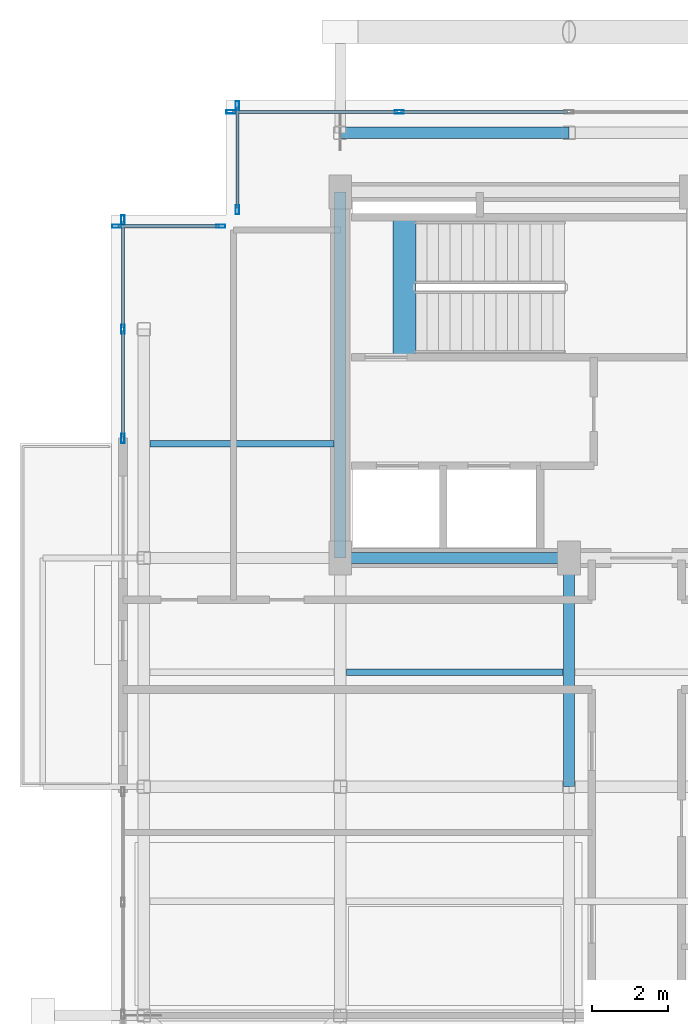
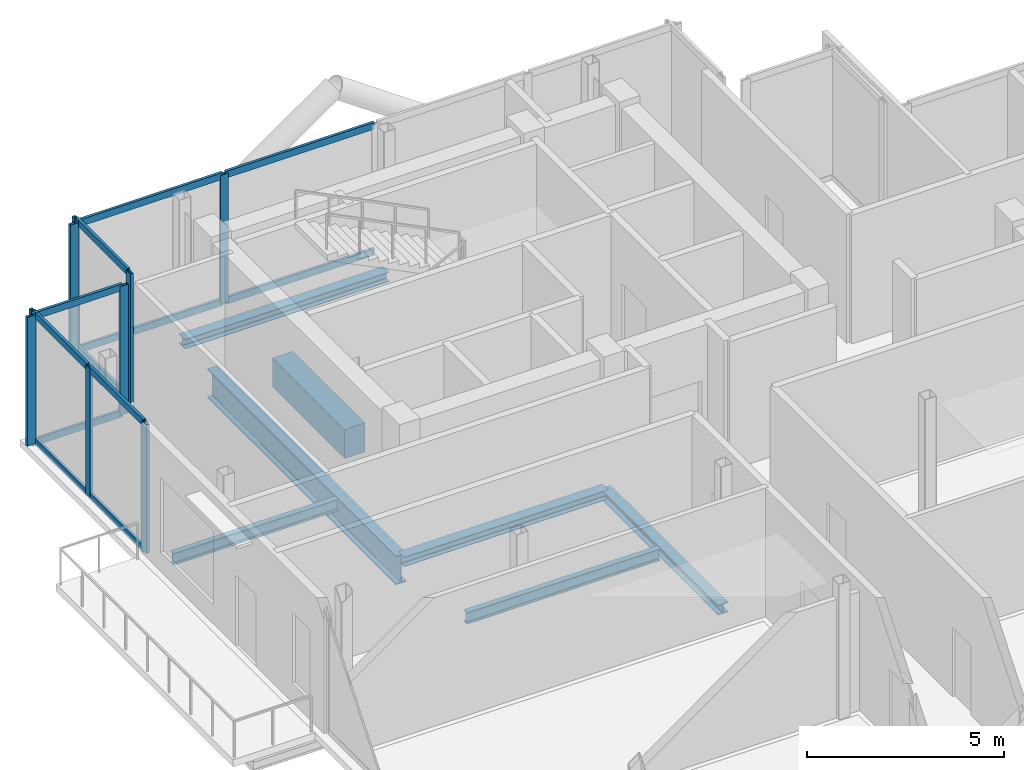
# One storey, part 5 of 16: 21 members, 7 beams, 4 elements without a shape of their own.
"""IFC4 building model written with IfcOpenShell, lengths in metres."""

from ifc_helpers import new_model, si_unit, direction, frame, origin, origin_2d, place, context, subcontext, project, spatial, rectangle, hollow_rectangle, i_section, extrude, material, layer, layer_set, material_profile, profile_set, type_object, element, aggregate, save


model = new_model("IFC4")

# Units and contexts
model_context = context("Model", 3, precision=1e-05, world=origin(), true_north=direction((0.0, 1.0)))
body_context = subcontext(model_context, "Body", "Model", "MODEL_VIEW")
ifc_project = project(units=[si_unit("LENGTHUNIT", "METRE"), si_unit("AREAUNIT", "SQUARE_METRE"), si_unit("VOLUMEUNIT", "CUBIC_METRE"), si_unit("PLANEANGLEUNIT", "RADIAN"), si_unit("MASSUNIT", "GRAM", prefix="KILO"), si_unit("THERMODYNAMICTEMPERATUREUNIT", "KELVIN"), si_unit("POWERUNIT", "WATT")], contexts=[model_context])

# Site, building, storey
site_placement = place(None, origin())
site = spatial("IfcSite", under=ifc_project, at=site_placement, CompositionType="ELEMENT")
building_placement = place(site_placement, origin())
building = spatial("IfcBuilding", under=site, at=building_placement, Name="Svarakhadi Broadcast Tower", CompositionType="ELEMENT")
storey_placement = place(building_placement, frame((0.0, 0.0, 292.199951171875)))
storey = spatial("IfcBuildingStorey", under=building, at=storey_placement, Name="L74", CompositionType="ELEMENT", Elevation=292.199951171875)

# Beams
ifc_material_1 = material(Name="Steel S355J2 (IS 2062 E350C)", Category="steel")
ifc_material_profile_1 = material_profile(ifc_material_1, i_section(OverallWidth=0.169921875, OverallDepth=0.360107421875, WebThickness=0.008056640625, FlangeThickness=0.0126953125, FilletRadius=0.01806640625, at=origin_2d()), Name="NPB 360x170x57")
ifc_profile_set_1 = profile_set([ifc_material_profile_1], Name="Steel S355J2 (IS 2062 E350C)")
beam_type_1 = type_object("IfcBeamType", Name="Beam_NPB360", PredefinedType="BEAM", material=ifc_profile_set_1)
beam_1_placement = place(storey_placement, frame((1.010009765625, 21.0, -0.3798828125), z_axis=(1.0, 0.0, 0.0), x_axis=(0.0, 1.0, 0.0)))
element("IfcBeam", 1, at=beam_1_placement, inside=storey, type_object=beam_type_1, Name="L74 Secondary Composite Beam SB003", PredefinedType="BEAM", context=body_context, shape_type="SweptSolid", body=[
    extrude(i_section(OverallWidth=0.169921875, OverallDepth=0.360107421875, WebThickness=0.008056640625, FlangeThickness=0.0126953125, FilletRadius=0.01806640625, at=origin_2d()), origin(), (0.0, 0.0, 1.0), 4.830078125),
])
beam_2_placement = place(storey_placement, frame((6.159912109375, 15.0, -0.3798828125), z_axis=(1.0, 0.0, 0.0), x_axis=(0.0, 1.0, 0.0)))
element("IfcBeam", 2, at=beam_2_placement, inside=storey, type_object=beam_type_1, Name="L74 Secondary Composite Beam SB006", PredefinedType="BEAM", context=body_context, shape_type="SweptSolid", body=[
    extrude(i_section(OverallWidth=0.169921875, OverallDepth=0.360107421875, WebThickness=0.008056640625, FlangeThickness=0.0126953125, FilletRadius=0.01806640625, at=origin_2d()), origin(), (0.0, 0.0, 1.0), 5.68017578125),
])

# Curtain wall, members
ifc_material_2 = material(Name="Anodised Bronze Aluminium AA 6063-T6", Category="aluminium")
ifc_layer = layer(ifc_material_2, 0.239990234375)
ifc_layer_set = layer_set([ifc_layer], Name="Anodised Bronze Aluminium AA 6063-T6")
curtain_wall_type = type_object("IfcCurtainWallType", Name="CW_Sys_06", PredefinedType="NOTDEFINED", material=ifc_layer_set)
curtain_wall_1_placement = place(storey_placement, origin())
curtain_wall_1 = element("IfcCurtainWall", 3, at=curtain_wall_1_placement, inside=storey, type_object=curtain_wall_type, Name="L74 West Curtain Wall 03", PredefinedType="NOTDEFINED")
ifc_material_profile_2 = material_profile(ifc_material_2, hollow_rectangle(XDim=0.090087890625, YDim=0.239990234375, WallThickness=0.006103515625, at=origin_2d()), Name="ALU MULLION 240x90x6")
ifc_profile_set_2 = profile_set([ifc_material_profile_2], Name="Anodised Bronze Aluminium AA 6063-T6")
member_type_1 = type_object("IfcMemberType", Name="CW_Sys_06_Mul", PredefinedType="MULLION", material=ifc_profile_set_2)
member_1_placement = place(storey_placement, frame((0.300048828125, 21.135009765625, 0.0), z_axis=(0.0, 0.0, 1.0), x_axis=(-1.0, 0.0, 0.0)))
member_1 = element("IfcMember", 4, at=member_1_placement, type_object=member_type_1, Name="CW-06 mullion 1", PredefinedType="MULLION", context=body_context, shape_type="SweptSolid", body=[
    extrude(hollow_rectangle(XDim=0.090087890625, YDim=0.239990234375, WallThickness=0.006103515625, at=origin_2d()), origin(), (0.0, 0.0, 1.0), 4.0),
])
member_2_placement = place(storey_placement, frame((0.300048828125, 24.0, 0.0), z_axis=(0.0, 0.0, 1.0), x_axis=(-1.0, 0.0, 0.0)))
member_2 = element("IfcMember", 5, at=member_2_placement, type_object=member_type_1, Name="CW-06 mullion 2", PredefinedType="MULLION", context=body_context, shape_type="SweptSolid", body=[
    extrude(hollow_rectangle(XDim=0.090087890625, YDim=0.239990234375, WallThickness=0.006103515625, at=origin_2d()), origin(), (0.0, 0.0, 1.0), 4.0),
])
member_3_placement = place(storey_placement, frame((0.300048828125, 26.864990234375, 0.0), z_axis=(0.0, 0.0, 1.0), x_axis=(-1.0, 0.0, 0.0)))
member_3 = element("IfcMember", 6, at=member_3_placement, type_object=member_type_1, Name="CW-06 mullion 3", PredefinedType="MULLION", context=body_context, shape_type="SweptSolid", body=[
    extrude(hollow_rectangle(XDim=0.090087890625, YDim=0.239990234375, WallThickness=0.006103515625, at=origin_2d()), origin(), (0.0, 0.0, 1.0), 4.0),
])

curtain_wall_2_placement = place(storey_placement, origin())
curtain_wall_2 = element("IfcCurtainWall", 7, at=curtain_wall_2_placement, inside=storey, type_object=curtain_wall_type, Name="L74 Unitised Facade Curtain Wall 04", PredefinedType="NOTDEFINED")
member_4_placement = place(storey_placement, frame((0.135009765625, 26.699951171875, 0.0), z_axis=(0.0, 0.0, 1.0), x_axis=(0.0, 1.0, 0.0)))
member_4 = element("IfcMember", 8, at=member_4_placement, type_object=member_type_1, Name="CW-06 mullion 1", PredefinedType="MULLION", context=body_context, shape_type="SweptSolid", body=[
    extrude(hollow_rectangle(XDim=0.090087890625, YDim=0.239990234375, WallThickness=0.006103515625, at=origin_2d()), origin(), (0.0, 0.0, 1.0), 4.0),
])
member_5_placement = place(storey_placement, frame((2.864990234375, 26.699951171875, 0.0), z_axis=(0.0, 0.0, 1.0), x_axis=(0.0, 1.0, 0.0)))
member_5 = element("IfcMember", 9, at=member_5_placement, type_object=member_type_1, Name="CW-06 mullion 2", PredefinedType="MULLION", context=body_context, shape_type="SweptSolid", body=[
    extrude(hollow_rectangle(XDim=0.090087890625, YDim=0.239990234375, WallThickness=0.006103515625, at=origin_2d()), origin(), (0.0, 0.0, 1.0), 4.0),
])

curtain_wall_3_placement = place(storey_placement, origin())
curtain_wall_3 = element("IfcCurtainWall", 10, at=curtain_wall_3_placement, inside=storey, type_object=curtain_wall_type, Name="L74 Unitised Facade Curtain Wall 05", PredefinedType="NOTDEFINED")
member_6_placement = place(storey_placement, frame((3.300048828125, 27.135009765625, 0.0), z_axis=(0.0, 0.0, 1.0), x_axis=(-1.0, 0.0, 0.0)))
member_6 = element("IfcMember", 11, at=member_6_placement, type_object=member_type_1, Name="CW-06 mullion 1", PredefinedType="MULLION", context=body_context, shape_type="SweptSolid", body=[
    extrude(hollow_rectangle(XDim=0.090087890625, YDim=0.239990234375, WallThickness=0.006103515625, at=origin_2d()), origin(), (0.0, 0.0, 1.0), 4.0),
])
member_7_placement = place(storey_placement, frame((3.300048828125, 29.864990234375, 0.0), z_axis=(0.0, 0.0, 1.0), x_axis=(-1.0, 0.0, 0.0)))
member_7 = element("IfcMember", 12, at=member_7_placement, type_object=member_type_1, Name="CW-06 mullion 2", PredefinedType="MULLION", context=body_context, shape_type="SweptSolid", body=[
    extrude(hollow_rectangle(XDim=0.090087890625, YDim=0.239990234375, WallThickness=0.006103515625, at=origin_2d()), origin(), (0.0, 0.0, 1.0), 4.0),
])

curtain_wall_4_placement = place(storey_placement, origin())
curtain_wall_4 = element("IfcCurtainWall", 13, at=curtain_wall_4_placement, inside=storey, type_object=curtain_wall_type, Name="L74 Unitised Facade Curtain Wall 06", PredefinedType="NOTDEFINED")
member_8_placement = place(storey_placement, frame((3.135009765625, 29.699951171875, 0.0), z_axis=(0.0, 0.0, 1.0), x_axis=(0.0, 1.0, 0.0)))
member_8 = element("IfcMember", 14, at=member_8_placement, type_object=member_type_1, Name="CW-06 mullion 1", PredefinedType="MULLION", context=body_context, shape_type="SweptSolid", body=[
    extrude(hollow_rectangle(XDim=0.090087890625, YDim=0.239990234375, WallThickness=0.006103515625, at=origin_2d()), origin(), (0.0, 0.0, 1.0), 4.0),
])
member_9_placement = place(storey_placement, frame((7.544921875, 29.699951171875, 0.0), z_axis=(0.0, 0.0, 1.0), x_axis=(0.0, 1.0, 0.0)))
member_9 = element("IfcMember", 15, at=member_9_placement, type_object=member_type_1, Name="CW-06 mullion 2", PredefinedType="MULLION", context=body_context, shape_type="SweptSolid", body=[
    extrude(hollow_rectangle(XDim=0.090087890625, YDim=0.239990234375, WallThickness=0.006103515625, at=origin_2d()), origin(), (0.0, 0.0, 1.0), 4.0),
])

# Member
ifc_material_profile_3 = material_profile(ifc_material_2, hollow_rectangle(XDim=0.080078125, YDim=0.2099609375, WallThickness=0.0048828125, at=origin_2d()), Name="ALU TRANSOM 210x80x5")
ifc_profile_set_3 = profile_set([ifc_material_profile_3], Name="Anodised Bronze Aluminium AA 6063-T6")
member_type_2 = type_object("IfcMemberType", Name="CW_Sys_06_Trn", PredefinedType="USERDEFINED", material=ifc_profile_set_3)
member_10_placement = place(storey_placement, frame((0.300048828125, 21.179931640625, 0.0400390625), z_axis=(0.0, 1.0, 0.0), x_axis=(-1.0, 0.0, 0.0)))
member_10 = element("IfcMember", 16, at=member_10_placement, type_object=member_type_2, Name="CW-06 transom 1.1", ObjectType="TRANSOM", PredefinedType="USERDEFINED", context=body_context, shape_type="SweptSolid", body=[
    extrude(hollow_rectangle(XDim=0.080078125, YDim=0.2099609375, WallThickness=0.0048828125, at=origin_2d()), origin(), (0.0, 0.0, 1.0), 2.775146484375),
])

member_11_placement = place(storey_placement, frame((0.300048828125, 21.179931640625, 3.9599609375), z_axis=(0.0, 1.0, 0.0), x_axis=(-1.0, 0.0, 0.0)))
member_11 = element("IfcMember", 17, at=member_11_placement, type_object=member_type_2, Name="CW-06 transom 1.2", ObjectType="TRANSOM", PredefinedType="USERDEFINED", context=body_context, shape_type="SweptSolid", body=[
    extrude(hollow_rectangle(XDim=0.080078125, YDim=0.2099609375, WallThickness=0.0048828125, at=origin_2d()), origin(), (0.0, 0.0, 1.0), 2.775146484375),
])

member_12_placement = place(storey_placement, frame((0.300048828125, 24.044921875, 0.0400390625), z_axis=(0.0, 1.0, 0.0), x_axis=(-1.0, 0.0, 0.0)))
member_12 = element("IfcMember", 18, at=member_12_placement, type_object=member_type_2, Name="CW-06 transom 2.1", ObjectType="TRANSOM", PredefinedType="USERDEFINED", context=body_context, shape_type="SweptSolid", body=[
    extrude(hollow_rectangle(XDim=0.080078125, YDim=0.2099609375, WallThickness=0.0048828125, at=origin_2d()), origin(), (0.0, 0.0, 1.0), 2.775146484375),
])

member_13_placement = place(storey_placement, frame((0.300048828125, 24.044921875, 3.9599609375), z_axis=(0.0, 1.0, 0.0), x_axis=(-1.0, 0.0, 0.0)))
member_13 = element("IfcMember", 19, at=member_13_placement, type_object=member_type_2, Name="CW-06 transom 2.2", ObjectType="TRANSOM", PredefinedType="USERDEFINED", context=body_context, shape_type="SweptSolid", body=[
    extrude(hollow_rectangle(XDim=0.080078125, YDim=0.2099609375, WallThickness=0.0048828125, at=origin_2d()), origin(), (0.0, 0.0, 1.0), 2.775146484375),
])

aggregate(curtain_wall_1, [member_1, member_2, member_3, member_10, member_11, member_12, member_13])

member_14_placement = place(storey_placement, frame((0.179931640625, 26.699951171875, 0.0400390625), z_axis=(1.0, 0.0, 0.0), x_axis=(0.0, 1.0, 0.0)))
member_14 = element("IfcMember", 20, at=member_14_placement, type_object=member_type_2, Name="CW-06 transom 1.1", ObjectType="TRANSOM", PredefinedType="USERDEFINED", context=body_context, shape_type="SweptSolid", body=[
    extrude(hollow_rectangle(XDim=0.080078125, YDim=0.2099609375, WallThickness=0.0048828125, at=origin_2d()), origin(), (0.0, 0.0, 1.0), 2.64013671875),
])

member_15_placement = place(storey_placement, frame((0.179931640625, 26.699951171875, 3.9599609375), z_axis=(1.0, 0.0, 0.0), x_axis=(0.0, 1.0, 0.0)))
member_15 = element("IfcMember", 21, at=member_15_placement, type_object=member_type_2, Name="CW-06 transom 1.2", ObjectType="TRANSOM", PredefinedType="USERDEFINED", context=body_context, shape_type="SweptSolid", body=[
    extrude(hollow_rectangle(XDim=0.080078125, YDim=0.2099609375, WallThickness=0.0048828125, at=origin_2d()), origin(), (0.0, 0.0, 1.0), 2.64013671875),
])

aggregate(curtain_wall_2, [member_4, member_5, member_14, member_15])

member_16_placement = place(storey_placement, frame((3.300048828125, 27.179931640625, 0.0400390625), z_axis=(0.0, 1.0, 0.0), x_axis=(-1.0, 0.0, 0.0)))
member_16 = element("IfcMember", 22, at=member_16_placement, type_object=member_type_2, Name="CW-06 transom 1.1", ObjectType="TRANSOM", PredefinedType="USERDEFINED", context=body_context, shape_type="SweptSolid", body=[
    extrude(hollow_rectangle(XDim=0.080078125, YDim=0.2099609375, WallThickness=0.0048828125, at=origin_2d()), origin(), (0.0, 0.0, 1.0), 2.64013671875),
])

member_17_placement = place(storey_placement, frame((3.300048828125, 27.179931640625, 3.9599609375), z_axis=(0.0, 1.0, 0.0), x_axis=(-1.0, 0.0, 0.0)))
member_17 = element("IfcMember", 23, at=member_17_placement, type_object=member_type_2, Name="CW-06 transom 1.2", ObjectType="TRANSOM", PredefinedType="USERDEFINED", context=body_context, shape_type="SweptSolid", body=[
    extrude(hollow_rectangle(XDim=0.080078125, YDim=0.2099609375, WallThickness=0.0048828125, at=origin_2d()), origin(), (0.0, 0.0, 1.0), 2.64013671875),
])

aggregate(curtain_wall_3, [member_6, member_7, member_16, member_17])

member_18_placement = place(storey_placement, frame((3.179931640625, 29.699951171875, 0.0400390625), z_axis=(1.0, 0.0, 0.0), x_axis=(0.0, 1.0, 0.0)))
member_18 = element("IfcMember", 24, at=member_18_placement, type_object=member_type_2, Name="CW-06 transom 1.1", ObjectType="TRANSOM", PredefinedType="USERDEFINED", context=body_context, shape_type="SweptSolid", body=[
    extrude(hollow_rectangle(XDim=0.080078125, YDim=0.2099609375, WallThickness=0.0048828125, at=origin_2d()), origin(), (0.0, 0.0, 1.0), 4.320068359375),
])

member_19_placement = place(storey_placement, frame((3.179931640625, 29.699951171875, 3.9599609375), z_axis=(1.0, 0.0, 0.0), x_axis=(0.0, 1.0, 0.0)))
member_19 = element("IfcMember", 25, at=member_19_placement, type_object=member_type_2, Name="CW-06 transom 1.2", ObjectType="TRANSOM", PredefinedType="USERDEFINED", context=body_context, shape_type="SweptSolid", body=[
    extrude(hollow_rectangle(XDim=0.080078125, YDim=0.2099609375, WallThickness=0.0048828125, at=origin_2d()), origin(), (0.0, 0.0, 1.0), 4.320068359375),
])

member_20_placement = place(storey_placement, frame((7.590087890625, 29.699951171875, 0.0400390625), z_axis=(1.0, 0.0, 0.0), x_axis=(0.0, 1.0, 0.0)))
member_20 = element("IfcMember", 26, at=member_20_placement, type_object=member_type_2, Name="CW-06 transom 2.1", ObjectType="TRANSOM", PredefinedType="USERDEFINED", context=body_context, shape_type="SweptSolid", body=[
    extrude(hollow_rectangle(XDim=0.080078125, YDim=0.2099609375, WallThickness=0.0048828125, at=origin_2d()), origin(), (0.0, 0.0, 1.0), 4.364990234375),
])

member_21_placement = place(storey_placement, frame((7.590087890625, 29.699951171875, 3.9599609375), z_axis=(1.0, 0.0, 0.0), x_axis=(0.0, 1.0, 0.0)))
member_21 = element("IfcMember", 27, at=member_21_placement, type_object=member_type_2, Name="CW-06 transom 2.2", ObjectType="TRANSOM", PredefinedType="USERDEFINED", context=body_context, shape_type="SweptSolid", body=[
    extrude(hollow_rectangle(XDim=0.080078125, YDim=0.2099609375, WallThickness=0.0048828125, at=origin_2d()), origin(), (0.0, 0.0, 1.0), 4.364990234375),
])

aggregate(curtain_wall_4, [member_8, member_9, member_18, member_19, member_20, member_21])

# Beams
ifc_material_3 = material(Name="Concrete C50/60 (IS 456 M60)", Category="concrete")
ifc_material_profile_4 = material_profile(ifc_material_3, rectangle(XDim=0.60009765625, YDim=0.89990234375, at=origin_2d()), Name="RC 600x900")
ifc_profile_set_4 = profile_set([ifc_material_profile_4], Name="Concrete C50/60 (IS 456 M60)")
beam_type_2 = type_object("IfcBeamType", Name="Coupling_RC600", PredefinedType="USERDEFINED", material=ifc_profile_set_4)
beam_3_placement = place(storey_placement, frame((7.679931640625, 23.260009765625, -0.449951171875), z_axis=(0.0, 1.0, 0.0), x_axis=(-1.0, 0.0, 0.0)))
element("IfcBeam", 28, at=beam_3_placement, inside=storey, type_object=beam_type_2, Name="L74 Stair ST-01 Landing Throat Trimmer Beam CB-01", ObjectType="GIRDER", PredefinedType="USERDEFINED", context=body_context, shape_type="SweptSolid", body=[
    extrude(rectangle(XDim=0.60009765625, YDim=0.89990234375, at=origin_2d()), origin(), (0.0, 0.0, 1.0), 3.679931640625),
])
ifc_material_profile_5 = material_profile(ifc_material_1, i_section(OverallWidth=0.300048828125, OverallDepth=0.300048828125, WebThickness=0.010986328125, FlangeThickness=0.01904296875, FilletRadius=0.027099609375, at=origin_2d()), Name="WPB 300x300x117")
ifc_profile_set_5 = profile_set([ifc_material_profile_5], Name="Steel S355J2 (IS 2062 E350C)")
beam_type_3 = type_object("IfcBeamType", Name="Girder_WPB300", PredefinedType="USERDEFINED", material=ifc_profile_set_5)
for number, where, z_axis, x_axis, name in (
    (29, (6.0, 18.0, -0.349853515625), (1.0, 0.0, 0.0), (0.0, 1.0, 0.0), "L74 Primary E-W Girder G018"),
    (30, (6.0, 29.14990234375, -0.349853515625), (1.0, 0.0, 0.0), (0.0, 1.0, 0.0), "L74 Primary E-W Girder G024"),
    (31, (12.0, 12.0, -0.349853515625), (0.0, 1.0, 0.0), (-1.0, 0.0, 0.0), "L74 Primary N-S Girder G035"),
):
    element("IfcBeam", number, at=place(storey_placement, frame(where, z_axis=z_axis, x_axis=x_axis)), inside=storey, type_object=beam_type_3, Name=name, ObjectType="GIRDER", PredefinedType="USERDEFINED", context=body_context, shape_type="SweptSolid", body=[
        extrude(i_section(OverallWidth=0.300048828125, OverallDepth=0.300048828125, WebThickness=0.010986328125, FlangeThickness=0.01904296875, FilletRadius=0.027099609375, at=origin_2d()), origin(), (0.0, 0.0, 1.0), 6.0),
    ])
ifc_material_4 = material(Name="Steel S460ML (IS 2062 E450BR)", Category="steel")
ifc_material_profile_6 = material_profile(ifc_material_4, i_section(OverallWidth=0.300048828125, OverallDepth=0.89990234375, WebThickness=0.0185546875, FlangeThickness=0.034912109375, FilletRadius=0.030029296875, at=origin_2d()), Name="WPB 900x300x291")
ifc_profile_set_6 = profile_set([ifc_material_profile_6], Name="Steel S460ML (IS 2062 E450BR)")
beam_type_4 = type_object("IfcBeamType", Name="Girder_WPB900", PredefinedType="USERDEFINED", material=ifc_profile_set_6)
beam_4_placement = place(storey_placement, frame((6.0, 18.0, -0.64990234375), z_axis=(0.0, 1.0, 0.0), x_axis=(-1.0, 0.0, 0.0)))
element("IfcBeam", 32, at=beam_4_placement, inside=storey, type_object=beam_type_4, Name="L74 Primary N-S Girder G032", ObjectType="GIRDER", PredefinedType="USERDEFINED", context=body_context, shape_type="SweptSolid", body=[
    extrude(i_section(OverallWidth=0.300048828125, OverallDepth=0.89990234375, WebThickness=0.0185546875, FlangeThickness=0.034912109375, FilletRadius=0.030029296875, at=origin_2d()), origin(), (0.0, 0.0, 1.0), 9.60009765625),
])

save(model, "model.ifc")
